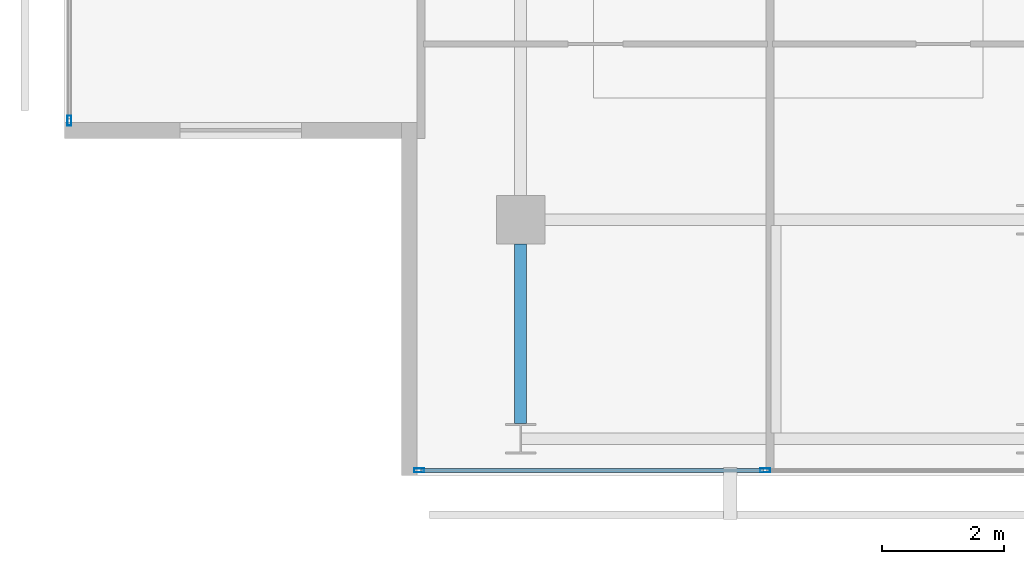
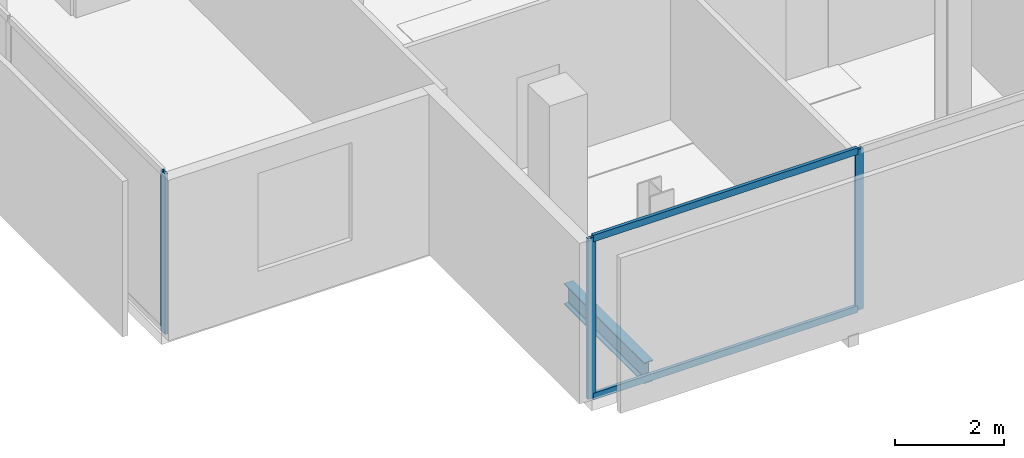
# One storey, part 2 of 24: 5 members, 1 beam, 2 elements without a shape of their own.
"""IFC4 building model written with IfcOpenShell, lengths in metres."""

import ifcopenshell
import ifcopenshell.guid

model = None  # the IFC model being written
_history = None  # IfcOwnerHistory: only IFC2X3 demands one
_inside = {}  # id of a spatial element -> (the spatial element, [elements in it])
_under = {}  # id of a project, library or spatial element -> (it, [spatial elements below it])
_declared = {}  # id of a project -> (the project, [libraries it declares])
_typed = {}  # id of a type object -> (the type object, [elements of that type])
_made_of = {}  # id of a material, layer set ... -> (it, [elements and type objects made of it])


def new_model(schema):
    """Start an empty IFC model of exactly this schema.

    Asked for "IFC4X3", IfcOpenShell would pick the latest addendum, in which some entities
    have other attributes; the version numbers below select the first issue.
    IFC2X3 requires an IfcOwnerHistory on every rooted entity: one is made here for all.
    """
    global model, _history
    if schema == "IFC4X3":
        model = ifcopenshell.file(schema_version=(4, 3, 0, 0))
    else:
        model = ifcopenshell.file(schema=schema)
    _inside.clear()
    _under.clear()
    _declared.clear()
    _typed.clear()
    _made_of.clear()
    _history = None
    if model.schema == "IFC2X3":
        org = make("IfcOrganization", Name="unknown")
        user = make(
            "IfcPersonAndOrganization",
            ThePerson=make("IfcPerson", FamilyName="unknown"),
            TheOrganization=org,
        )
        app = make(
            "IfcApplication",
            ApplicationDeveloper=org,
            Version="unknown",
            ApplicationFullName="unknown",
            ApplicationIdentifier="unknown",
        )
        _history = make(
            "IfcOwnerHistory",
            OwningUser=user,
            OwningApplication=app,
            ChangeAction="ADDED",
            CreationDate=0,
        )
    return model


def make(cls, **values):
    """One entity of the class cls with the attributes given. An attribute that is None is left unset."""
    return model.create_entity(
        cls, **{name: value for name, value in values.items() if value is not None}
    )


def rooted(cls, **values):
    """An entity with a GlobalId (a new one), such as an element, a storey or a relation."""
    return make(cls, GlobalId=ifcopenshell.guid.new(), OwnerHistory=_history, **values)


def si_unit(unit_type, name, prefix=None):
    """IfcSIUnit, for example si_unit("LENGTHUNIT", "METRE", prefix="MILLI")."""
    return make("IfcSIUnit", UnitType=unit_type, Prefix=prefix, Name=name)


def assignment(units):
    """IfcUnitAssignment: the units of a project."""
    return None if units is None else make("IfcUnitAssignment", Units=units)


def point(xyz):
    """IfcCartesianPoint."""
    return None if xyz is None else make("IfcCartesianPoint", Coordinates=xyz)


def direction(xyz):
    """IfcDirection."""
    return None if xyz is None else make("IfcDirection", DirectionRatios=xyz)


def frame(location, z_axis=None, x_axis=None):
    """IfcAxis2Placement3D, a coordinate frame: its origin and axes. An axis left out is left unset."""
    return make(
        "IfcAxis2Placement3D",
        Location=point(location),
        Axis=direction(z_axis),
        RefDirection=direction(x_axis),
    )


def frame_2d(location, x_axis=None):
    """IfcAxis2Placement2D, a coordinate frame in the plane: its origin and x axis."""
    return make(
        "IfcAxis2Placement2D", Location=point(location), RefDirection=direction(x_axis)
    )


def origin():
    """The frame at (0, 0, 0) with its axes left unset."""
    return frame((0.0, 0.0, 0.0))


def origin_2d():
    """The frame at (0, 0) in the plane with its x axis left unset."""
    return frame_2d((0.0, 0.0))


def place(relative_to, where):
    """IfcLocalPlacement: puts the frame where relative to a parent placement (None: the world)."""
    return make(
        "IfcLocalPlacement", PlacementRelTo=relative_to, RelativePlacement=where
    )


def context(
    kind, dimensions, precision=None, world=None, true_north=None, identifier=None
):
    """IfcGeometricRepresentationContext, for example the 3D "Model" context."""
    return make(
        "IfcGeometricRepresentationContext",
        ContextIdentifier=identifier,
        ContextType=kind,
        CoordinateSpaceDimension=dimensions,
        Precision=precision,
        WorldCoordinateSystem=world,
        TrueNorth=true_north,
    )


def subcontext(parent, identifier, kind, view, scale=None):
    """IfcGeometricRepresentationSubContext, for example "Body" below "Model"."""
    return make(
        "IfcGeometricRepresentationSubContext",
        ContextIdentifier=identifier,
        ContextType=kind,
        ParentContext=parent,
        TargetScale=scale,
        TargetView=view,
    )


def project(units=None, contexts=None):
    """IfcProject with its units and contexts."""
    return rooted(
        "IfcProject",
        Name="project",
        RepresentationContexts=contexts,
        UnitsInContext=assignment(units),
    )


def spatial(cls, under=None, at=None, **own):
    """A site, building, storey or space (cls), placed at a placement, below another one or the project."""
    s = rooted(cls, ObjectPlacement=at, **own)
    if under is not None:
        _under.setdefault(under.id(), (under, []))[1].append(s)
    return s


def profile(cls, at=None, kind="AREA", **sizes):
    """A parametric profile (cls). Its sizes go by their IFC names, for example OverallWidth=200.0."""
    return make(cls, ProfileType=kind, Position=at, **sizes)


def hollow_rectangle(**sizes):
    """IfcRectangleHollowProfileDef."""
    return profile("IfcRectangleHollowProfileDef", **sizes)


def i_section(**sizes):
    """IfcIShapeProfileDef."""
    return profile("IfcIShapeProfileDef", **sizes)


def extrude(swept, where, along, depth):
    """IfcExtrudedAreaSolid: the profile swept, set in the frame where, extruded along a direction by depth."""
    return make(
        "IfcExtrudedAreaSolid",
        SweptArea=swept,
        Position=where,
        ExtrudedDirection=direction(along),
        Depth=depth,
    )


def shape(context_of_items, identifier, shape_type, items):
    """IfcShapeRepresentation: the items that make up one representation, for example the "Body"."""
    return make(
        "IfcShapeRepresentation",
        ContextOfItems=context_of_items,
        RepresentationIdentifier=identifier,
        RepresentationType=shape_type,
        Items=items,
    )


def material(Name=None, Category=None):
    """IfcMaterial."""
    return make("IfcMaterial", Name=Name, Category=Category)


def layer(
    of_material, thickness, ventilated=None, Name=None, Category=None, Priority=None
):
    """IfcMaterialLayer: one layer of a wall or slab, of a material (None: an air gap)."""
    return make(
        "IfcMaterialLayer",
        Material=of_material,
        LayerThickness=thickness,
        IsVentilated=ventilated,
        Name=Name,
        Category=Category,
        Priority=Priority,
    )


def layer_set(layers, Name=None):
    """IfcMaterialLayerSet."""
    return make("IfcMaterialLayerSet", MaterialLayers=layers, LayerSetName=Name)


def material_profile(
    of_material, cross_section, Name=None, Category=None, Priority=None
):
    """IfcMaterialProfile: a cross section and its material."""
    return make(
        "IfcMaterialProfile",
        Name=Name,
        Material=of_material,
        Profile=cross_section,
        Priority=Priority,
        Category=Category,
    )


def profile_set(profiles, Name=None, composite=None):
    """IfcMaterialProfileSet."""
    return make(
        "IfcMaterialProfileSet",
        Name=Name,
        MaterialProfiles=profiles,
        CompositeProfile=composite,
    )


def made_of(thing, what):
    """Note that an element or type object is made of a material, layer set ...; save() writes the relation."""
    if what is not None:
        _made_of.setdefault(what.id(), (what, []))[1].append(thing)
    return thing


def type_object(cls, material=None, **own):
    """A type object (cls), such as IfcWallType, which elements share."""
    return made_of(rooted(cls, **own), material)


def element(
    cls,
    number,
    at=None,
    inside=None,
    cuts=None,
    type_object=None,
    material=None,
    context=None,
    identifier="Body",
    shape_type=None,
    held_by="IfcProductDefinitionShape",
    body=None,
    shapes=None,
    **own,
):
    """One element of the class cls, such as IfcWall. Its Tag is "e" and its number.

    at: its placement. inside: the storey or other place that contains it. cuts: it is an
    opening in that element (IfcRelVoidsElement). A single representation is given by context,
    identifier, shape_type and body (its items); several are given by shapes. held_by: the class
    of the entity that holds the representations. save() writes the other relations.
    """
    e = rooted(cls, Tag="e%d" % number, ObjectPlacement=at, **own)
    if body is not None:
        shapes = [shape(context, identifier, shape_type, body)]
    if shapes is not None:
        e.Representation = make(held_by, Representations=shapes)
    if inside is not None:
        _inside.setdefault(inside.id(), (inside, []))[1].append(e)
    if cuts is not None:
        rooted(
            "IfcRelVoidsElement", RelatingBuildingElement=cuts, RelatedOpeningElement=e
        )
    if type_object is not None:
        _typed.setdefault(type_object.id(), (type_object, []))[1].append(e)
    return made_of(e, material)


def aggregate(whole, parts):
    """IfcRelAggregates: a whole, such as a stair, and the parts it consists of."""
    return rooted("IfcRelAggregates", RelatingObject=whole, RelatedObjects=parts)


def save(model, path):
    """Write the relations noted so far, then the file.

    IfcRelAggregates (storeys below a building ...), IfcRelContainedInSpatialStructure (elements
    in a storey), IfcRelDefinesByType, IfcRelAssociatesMaterial and IfcRelDeclares: one each for
    every whole, place, type object, material and project.
    """
    for whole, parts in _under.values():
        aggregate(whole, parts)
    for where, things in _inside.values():
        rooted(
            "IfcRelContainedInSpatialStructure",
            RelatedElements=things,
            RelatingStructure=where,
        )
    for kind, things in _typed.values():
        rooted("IfcRelDefinesByType", RelatedObjects=things, RelatingType=kind)
    for what, things in _made_of.values():
        rooted("IfcRelAssociatesMaterial", RelatedObjects=things, RelatingMaterial=what)
    for by, libraries in _declared.values():
        rooted("IfcRelDeclares", RelatingContext=by, RelatedDefinitions=libraries)
    model.write(path)


model = new_model("IFC4")

# Units and contexts
model_context = context("Model", 3, precision=1e-05, world=origin(), true_north=direction((0.0, 1.0)))
body_context = subcontext(model_context, "Body", "Model", "MODEL_VIEW")
ifc_project = project(units=[si_unit("LENGTHUNIT", "METRE"), si_unit("AREAUNIT", "SQUARE_METRE"), si_unit("VOLUMEUNIT", "CUBIC_METRE"), si_unit("PLANEANGLEUNIT", "RADIAN"), si_unit("MASSUNIT", "GRAM", prefix="KILO")], contexts=[model_context])

# Site, building, storey
site_placement = place(None, origin())
site = spatial("IfcSite", under=ifc_project, at=site_placement, CompositionType="ELEMENT")
building_placement = place(site_placement, origin())
building = spatial("IfcBuilding", under=site, at=building_placement, Name="Maruvema Waterfront Hotel and Observation Tower", CompositionType="ELEMENT")
storey_placement = place(building_placement, frame((0.0, 0.0, 329.699951171875)))
storey = spatial("IfcBuildingStorey", under=building, at=storey_placement, Name="L81", CompositionType="ELEMENT", Elevation=329.699951171875)

# Curtain wall, members
ifc_material_1 = material(Name="Anodised bronze aluminium and solar-control low-E IGU", Category="aluminium")
ifc_layer = layer(ifc_material_1, 0.159912109375, Name="Zone 4 Sky Residence Inner Curtain Wall System CW-05")
ifc_layer_set = layer_set([ifc_layer], Name="Anodised bronze aluminium and solar-control low-E IGU")
curtain_wall_type = type_object("IfcCurtainWallType", Name="Zone 4 Sky Residence Inner Curtain Wall System CW-05", PredefinedType="USERDEFINED", material=ifc_layer_set)
curtain_wall_1_placement = place(storey_placement, origin())
curtain_wall_1 = element("IfcCurtainWall", 1, at=curtain_wall_1_placement, inside=storey, type_object=curtain_wall_type, Name="L81 Curtain Wall CW-L81-S", ObjectType="UNITISED CURTAIN WALL", PredefinedType="USERDEFINED")
ifc_material_2 = material(Name="Anodised architectural bronze aluminium", Category="aluminium")
ifc_material_profile_1 = material_profile(ifc_material_2, hollow_rectangle(XDim=0.070068359375, YDim=0.14990234375, WallThickness=0.00390625, at=origin_2d()), Name="ALU-T70x150")
ifc_profile_set_1 = profile_set([ifc_material_profile_1], Name="Anodised architectural bronze aluminium")
member_type_1 = type_object("IfcMemberType", Name="Curtain Wall Horizontal Transom ALU-T70x150", PredefinedType="USERDEFINED", material=ifc_profile_set_1)
member_1_placement = place(storey_placement, frame((23.56005859375, 13.8798828125, 0.030029296875), z_axis=(1.0, 0.0, 0.0), x_axis=(0.0, 1.0, 0.0)))
member_1 = element("IfcMember", 2, at=member_1_placement, type_object=member_type_1, Name="CW-05 transom 1.1", ObjectType="TRANSOM", PredefinedType="USERDEFINED", context=body_context, shape_type="SweptSolid", body=[
    extrude(hollow_rectangle(XDim=0.070068359375, YDim=0.14990234375, WallThickness=0.00390625, at=origin_2d()), origin(), (0.0, 0.0, 1.0), 5.6298828125),
])
member_2_placement = place(storey_placement, frame((23.56005859375, 13.8798828125, 3.580078125), z_axis=(1.0, 0.0, 0.0), x_axis=(0.0, 1.0, 0.0)))
member_2 = element("IfcMember", 3, at=member_2_placement, type_object=member_type_1, Name="CW-05 transom 1.2", ObjectType="TRANSOM", PredefinedType="USERDEFINED", context=body_context, shape_type="SweptSolid", body=[
    extrude(hollow_rectangle(XDim=0.070068359375, YDim=0.14990234375, WallThickness=0.00390625, at=origin_2d()), origin(), (0.0, 0.0, 1.0), 5.6298828125),
])
ifc_material_3 = material(Name="Anodised architectural bronze aluminium", Category="aluminium")
ifc_material_profile_2 = material_profile(ifc_material_3, hollow_rectangle(XDim=0.06494140625, YDim=0.1650390625, WallThickness=0.00390625, at=origin_2d()), Name="ALU-M65x165")
ifc_profile_set_2 = profile_set([ifc_material_profile_2], Name="Anodised architectural bronze aluminium")
member_type_2 = type_object("IfcMemberType", Name="Curtain Wall Primary Mullion ALU-M65x165", PredefinedType="MULLION", material=ifc_profile_set_2)
member_3_placement = place(storey_placement, frame((23.530029296875, 13.8798828125, 0.0), z_axis=(0.0, 0.0, 1.0), x_axis=(0.0, 1.0, 0.0)))
member_3 = element("IfcMember", 4, at=member_3_placement, type_object=member_type_2, Name="CW-05 mullion 1", PredefinedType="MULLION", context=body_context, shape_type="SweptSolid", body=[
    extrude(hollow_rectangle(XDim=0.06494140625, YDim=0.1650390625, WallThickness=0.00390625, at=origin_2d()), origin(), (0.0, 0.0, 1.0), 3.610107421875),
])
member_4_placement = place(storey_placement, frame((29.219970703125, 13.8798828125, 0.0), z_axis=(0.0, 0.0, 1.0), x_axis=(0.0, 1.0, 0.0)))
member_4 = element("IfcMember", 5, at=member_4_placement, type_object=member_type_2, Name="CW-05 mullion 2", PredefinedType="MULLION", context=body_context, shape_type="SweptSolid", body=[
    extrude(hollow_rectangle(XDim=0.06494140625, YDim=0.1650390625, WallThickness=0.00390625, at=origin_2d()), origin(), (0.0, 0.0, 1.0), 3.610107421875),
])
aggregate(curtain_wall_1, [member_3, member_4, member_1, member_2])

# Curtain wall, member
curtain_wall_2_placement = place(storey_placement, origin())
curtain_wall_2 = element("IfcCurtainWall", 6, at=curtain_wall_2_placement, inside=storey, type_object=curtain_wall_type, Name="L81 Curtain Wall CW-L81-W", ObjectType="UNITISED CURTAIN WALL", PredefinedType="USERDEFINED")
member_5_placement = place(storey_placement, frame((17.780029296875, 19.6298828125, 0.0), z_axis=(0.0, 0.0, 1.0), x_axis=(1.0, 0.0, 0.0)))
member_5 = element("IfcMember", 7, at=member_5_placement, type_object=member_type_2, Name="CW-05 mullion 6", PredefinedType="MULLION", context=body_context, shape_type="SweptSolid", body=[
    extrude(hollow_rectangle(XDim=0.06494140625, YDim=0.1650390625, WallThickness=0.00390625, at=origin_2d()), origin(), (0.0, 0.0, 1.0), 3.610107421875),
])
aggregate(curtain_wall_2, [member_5])

# Beam
ifc_material_4 = material(Name="Steel ASTM A572 Grade 50", Category="steel")
ifc_material_profile_3 = material_profile(ifc_material_4, i_section(OverallWidth=0.194091796875, OverallDepth=0.468994140625, WebThickness=0.0126953125, FlangeThickness=0.0205078125, FilletRadius=0.014892578125, at=origin_2d()), Name="W460x106.0")
ifc_profile_set_3 = profile_set([ifc_material_profile_3], Name="Steel ASTM A572 Grade 50")
beam_type = type_object("IfcBeamType", Name="Primary Floor Girder W460x106.0", PredefinedType="BEAM", material=ifc_profile_set_3)
beam_placement = place(storey_placement, frame((25.199951171875, 14.64990234375, -0.474365234375), z_axis=(0.0, 1.0, 0.0), x_axis=(-1.0, 0.0, 0.0)))
element("IfcBeam", 8, at=beam_placement, inside=storey, type_object=beam_type, Name="L81 Floor Girder NS-03", PredefinedType="BEAM", context=body_context, shape_type="SweptSolid", body=[
    extrude(i_section(OverallWidth=0.194091796875, OverallDepth=0.468994140625, WebThickness=0.0126953125, FlangeThickness=0.0205078125, FilletRadius=0.014892578125, at=origin_2d()), origin(), (0.0, 0.0, 1.0), 2.9501953125),
])

save(model, "model.ifc")
